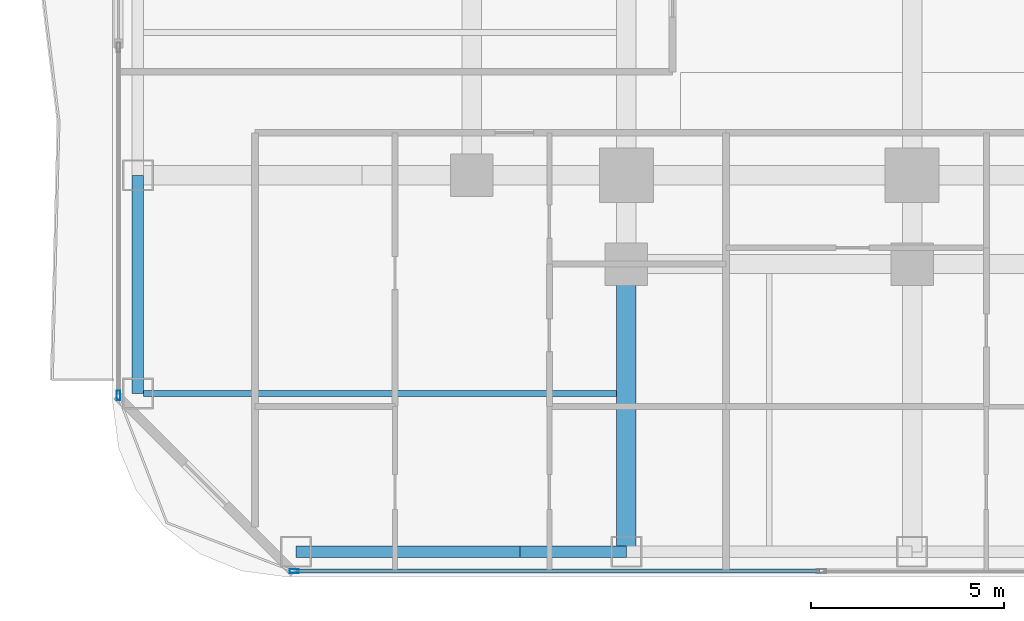
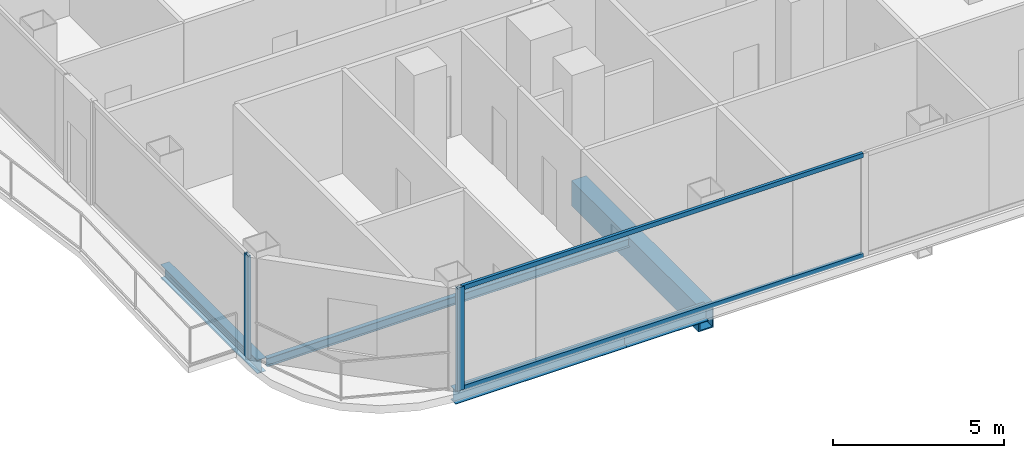
# One storey, part 2 of 29: 5 beams, 4 members, 2 elements without a shape of their own.
"""IFC4 building model written with IfcOpenShell, lengths in metres."""

from ifc_helpers import new_model, si_unit, direction, frame, origin, origin_2d, place, context, subcontext, project, spatial, hollow_rectangle, i_section, extrude, material, layer, layer_set, material_profile, profile_set, type_object, element, aggregate, save


model = new_model("IFC4")

# Units and contexts
model_context = context("Model", 3, precision=1e-05, world=origin(), true_north=direction((0.0, 1.0)))
body_context = subcontext(model_context, "Body", "Model", "MODEL_VIEW")
ifc_project = project(units=[si_unit("LENGTHUNIT", "METRE"), si_unit("AREAUNIT", "SQUARE_METRE"), si_unit("VOLUMEUNIT", "CUBIC_METRE"), si_unit("PLANEANGLEUNIT", "RADIAN"), si_unit("MASSUNIT", "GRAM", prefix="KILO")], contexts=[model_context])

# Site, building, storey
site_placement = place(None, origin())
site = spatial("IfcSite", under=ifc_project, at=site_placement, CompositionType="ELEMENT")
building_placement = place(site_placement, origin())
building = spatial("IfcBuilding", under=site, at=building_placement, Name="Khorvyn Point Tower", CompositionType="ELEMENT")
storey_placement = place(building_placement, frame((0.0, 0.0, 54.0)))
storey = spatial("IfcBuildingStorey", under=building, at=storey_placement, Name="L14", CompositionType="ELEMENT", Elevation=54.0)

# Curtain wall, member
ifc_material_1 = material(Name="Anodised aluminium 6063-T6 and laminated Low-E glass", Category="aluminium")
ifc_layer = layer(ifc_material_1, 0.18994140625)
ifc_layer_set = layer_set([ifc_layer], Name="Stick-Built Finned Residential Curtain Wall CW-SYS-02")
curtain_wall_type = type_object("IfcCurtainWallType", Name="Stick-Built Finned Residential Curtain Wall CW-SYS-02", PredefinedType="NOTDEFINED", material=ifc_layer_set)
curtain_wall_1_placement = place(storey_placement, origin())
curtain_wall_1 = element("IfcCurtainWall", 1, at=curtain_wall_1_placement, inside=storey, type_object=curtain_wall_type, Name="Curtain Wall", PredefinedType="NOTDEFINED")
ifc_material_2 = material(Name="Anodised aluminium 6063-T6", Category="aluminium")
ifc_material_profile_1 = material_profile(ifc_material_2, hollow_rectangle(XDim=0.10009765625, YDim=0.239990234375, WallThickness=0.0048828125, at=origin_2d()))
ifc_profile_set_1 = profile_set([ifc_material_profile_1], Name="Anodised aluminium 6063-T6 ALU-MUL-100x240")
member_type_1 = type_object("IfcMemberType", Name="Anodised Aluminium 6063-T6 Mullion ALU-MUL-100x240", PredefinedType="MULLION", material=ifc_profile_set_1)
member_1_placement = place(storey_placement, frame((-23.39990234375, -25.050048828125, 0.0), z_axis=(0.0, 0.0, 1.0), x_axis=(0.0, -1.0, 0.0)))
member_1 = element("IfcMember", 2, at=member_1_placement, type_object=member_type_1, Name="Transom", PredefinedType="MULLION", context=body_context, shape_type="SweptSolid", body=[
    extrude(hollow_rectangle(XDim=0.10009765625, YDim=0.239990234375, WallThickness=0.0048828125, at=origin_2d()), origin(), (0.0, 0.0, 1.0), 3.679931640625),
])

curtain_wall_2_placement = place(storey_placement, origin())
curtain_wall_2 = element("IfcCurtainWall", 3, at=curtain_wall_2_placement, inside=storey, type_object=curtain_wall_type, Name="Curtain Wall", PredefinedType="NOTDEFINED")
member_2_placement = place(storey_placement, frame((-27.949951171875, -20.5, 0.0), z_axis=(0.0, 0.0, 1.0), x_axis=(-1.0, 0.0, 0.0)))
member_2 = element("IfcMember", 4, at=member_2_placement, type_object=member_type_1, Name="Transom", PredefinedType="MULLION", context=body_context, shape_type="SweptSolid", body=[
    extrude(hollow_rectangle(XDim=0.10009765625, YDim=0.239990234375, WallThickness=0.0048828125, at=origin_2d()), origin(), (0.0, 0.0, 1.0), 3.679931640625),
])
aggregate(curtain_wall_2, [member_2])

# Member
ifc_material_profile_2 = material_profile(ifc_material_2, hollow_rectangle(XDim=0.10009765625, YDim=0.159912109375, WallThickness=0.00439453125, at=origin_2d()))
ifc_profile_set_2 = profile_set([ifc_material_profile_2], Name="Anodised aluminium 6063-T6 ALU-TRN-100x160")
member_type_2 = type_object("IfcMemberType", Name="Anodised Aluminium 6063-T6 Transom ALU-TRN-100x160", PredefinedType="USERDEFINED", material=ifc_profile_set_2)
member_3_placement = place(storey_placement, frame((-9.800048828125, -25.050048828125, 0.050048828125), z_axis=(-1.0, 0.0, 0.0), x_axis=(0.0, -1.0, 0.0)))
member_3 = element("IfcMember", 5, at=member_3_placement, type_object=member_type_2, Name="Transom", ObjectType="TRANSOM", PredefinedType="USERDEFINED", context=body_context, shape_type="SweptSolid", body=[
    extrude(hollow_rectangle(XDim=0.10009765625, YDim=0.159912109375, WallThickness=0.00439453125, at=origin_2d()), origin(), (0.0, 0.0, 1.0), 13.550048828125),
])

member_4_placement = place(storey_placement, frame((-9.800048828125, -25.050048828125, 3.6298828125), z_axis=(-1.0, 0.0, 0.0), x_axis=(0.0, -1.0, 0.0)))
member_4 = element("IfcMember", 6, at=member_4_placement, type_object=member_type_2, Name="Transom", ObjectType="TRANSOM", PredefinedType="USERDEFINED", context=body_context, shape_type="SweptSolid", body=[
    extrude(hollow_rectangle(XDim=0.10009765625, YDim=0.159912109375, WallThickness=0.00439453125, at=origin_2d()), origin(), (0.0, 0.0, 1.0), 13.550048828125),
])

aggregate(curtain_wall_1, [member_1, member_3, member_4])

# Beams
ifc_material_3 = material(Name="Steel S355", Category="steel")
ifc_material_profile_3 = material_profile(ifc_material_3, i_section(OverallWidth=0.14990234375, OverallDepth=0.300048828125, WebThickness=0.006591796875, FlangeThickness=0.009033203125, at=origin_2d()))
ifc_profile_set_3 = profile_set([ifc_material_profile_3], Name="Steel S355 H300x150x6.5x9")
beam_type_1 = type_object("IfcBeamType", Name="Steel S355 Joist H300x150x6.5x9", PredefinedType="JOIST", material=ifc_profile_set_3)
beam_1_placement = place(storey_placement, frame((-27.300048828125, -20.449951171875, -0.429931640625), z_axis=(1.0, 0.0, 0.0), x_axis=(0.0, 1.0, 0.0)))
element("IfcBeam", 7, at=beam_1_placement, inside=storey, type_object=beam_type_1, Name="Beam", PredefinedType="JOIST", context=body_context, shape_type="SweptSolid", body=[
    extrude(i_section(OverallWidth=0.14990234375, OverallDepth=0.300048828125, WebThickness=0.006591796875, FlangeThickness=0.009033203125, at=origin_2d()), origin(), (0.0, 0.0, 1.0), 12.25),
])
ifc_material_profile_4 = material_profile(ifc_material_3, i_section(OverallWidth=0.300048828125, OverallDepth=0.488037109375, WebThickness=0.010986328125, FlangeThickness=0.01806640625, at=origin_2d()))
ifc_profile_set_4 = profile_set([ifc_material_profile_4], Name="Steel S355 H488x300x11x18")
beam_type_2 = type_object("IfcBeamType", Name="Steel S355 Spandrel H488x300x11x18", PredefinedType="SPANDREL", material=ifc_profile_set_4)
beam_2_placement = place(storey_placement, frame((-23.35009765625, -24.550048828125, -0.52392578125), z_axis=(1.0, 0.0, 0.0), x_axis=(0.0, 1.0, 0.0)))
element("IfcBeam", 8, at=beam_2_placement, inside=storey, type_object=beam_type_2, Name="Beam", PredefinedType="SPANDREL", context=body_context, shape_type="SweptSolid", body=[
    extrude(i_section(OverallWidth=0.300048828125, OverallDepth=0.488037109375, WebThickness=0.010986328125, FlangeThickness=0.01806640625, at=origin_2d()), origin(), (0.0, 0.0, 1.0), 5.800048828125),
])
beam_3_placement = place(storey_placement, frame((-17.550048828125, -24.550048828125, -0.52392578125), z_axis=(1.0, 0.0, 0.0), x_axis=(0.0, 1.0, 0.0)))
element("IfcBeam", 9, at=beam_3_placement, inside=storey, type_object=beam_type_2, Name="Beam", PredefinedType="SPANDREL", context=body_context, shape_type="SweptSolid", body=[
    extrude(i_section(OverallWidth=0.300048828125, OverallDepth=0.488037109375, WebThickness=0.010986328125, FlangeThickness=0.01806640625, at=origin_2d()), origin(), (0.0, 0.0, 1.0), 2.75),
])
beam_4_placement = place(storey_placement, frame((-27.449951171875, -20.449951171875, -0.52392578125), z_axis=(0.0, 1.0, 0.0), x_axis=(-1.0, 0.0, 0.0)))
element("IfcBeam", 10, at=beam_4_placement, inside=storey, type_object=beam_type_2, Name="Beam", PredefinedType="SPANDREL", context=body_context, shape_type="SweptSolid", body=[
    extrude(i_section(OverallWidth=0.300048828125, OverallDepth=0.488037109375, WebThickness=0.010986328125, FlangeThickness=0.01806640625, at=origin_2d()), origin(), (0.0, 0.0, 1.0), 5.64990234375),
])
ifc_material_4 = material(Name="Steel S450", Category="steel")
ifc_material_profile_5 = material_profile(ifc_material_4, hollow_rectangle(XDim=0.5, YDim=0.89990234375, WallThickness=0.0400390625, at=origin_2d()))
ifc_profile_set_5 = profile_set([ifc_material_profile_5], Name="Steel S450 BOX900x500x40")
beam_type_3 = type_object("IfcBeamType", Name="Steel S450 Beam BOX900x500x40", PredefinedType="BEAM", material=ifc_profile_set_5)
beam_5_placement = place(storey_placement, frame((-14.800048828125, -24.550048828125, -0.72998046875), z_axis=(0.0, 1.0, 0.0), x_axis=(-1.0, 0.0, 0.0)))
element("IfcBeam", 11, at=beam_5_placement, inside=storey, type_object=beam_type_3, Name="L14 Radial Transfer Girder", PredefinedType="BEAM", context=body_context, shape_type="SweptSolid", body=[
    extrude(hollow_rectangle(XDim=0.5, YDim=0.89990234375, WallThickness=0.0400390625, at=origin_2d()), origin(), (0.0, 0.0, 1.0), 7.449951171875),
])

save(model, "model.ifc")
